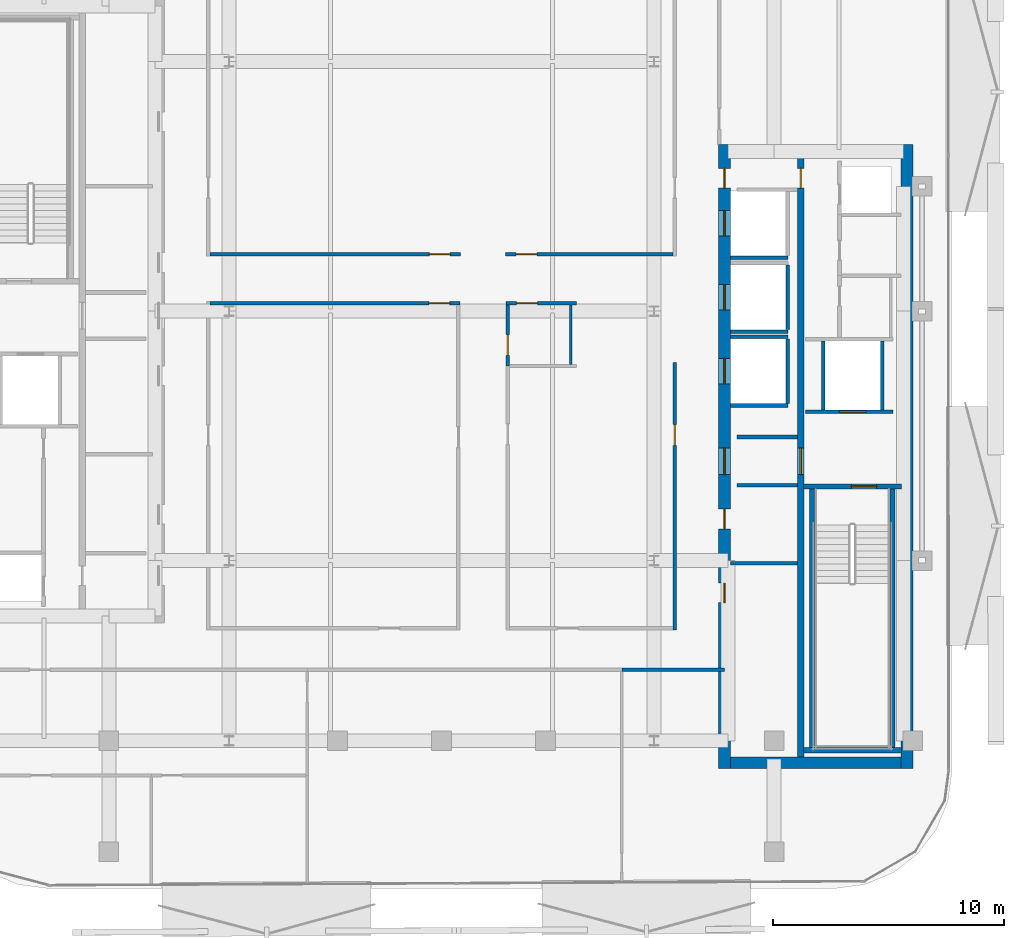
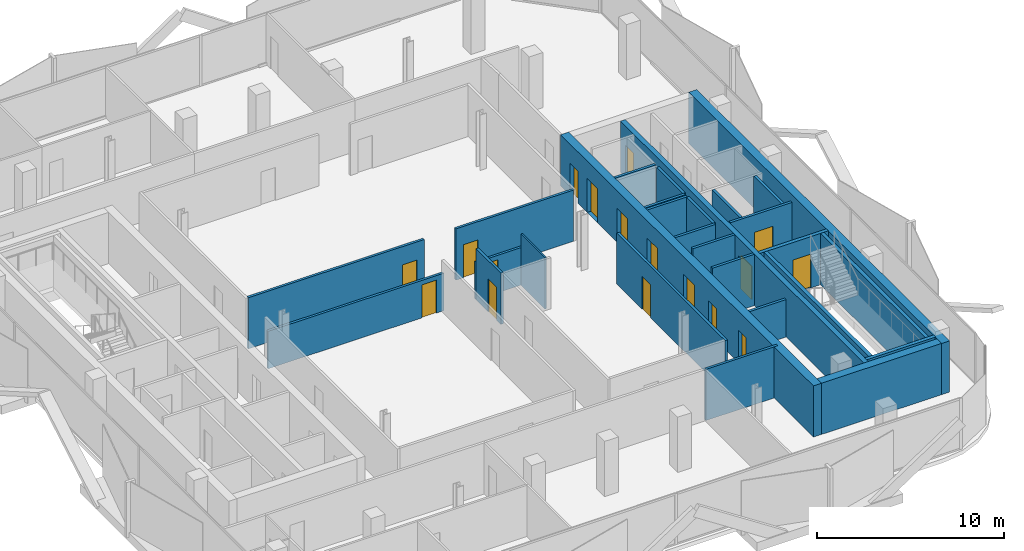
# One storey, part 4 of 14: 28 walls, 17 doors, 17 openings.
"""IFC4 building model written with IfcOpenShell, lengths in metres."""

from ifc_helpers import new_model, si_unit, direction, frame, frame_2d, origin, place, context, subcontext, project, spatial, rectangle, extrude, material, layer, layer_set, type_object, element, fill, save


model = new_model("IFC4")

# Units and contexts
model_context = context("Model", 3, precision=1e-05, world=origin(), true_north=direction((0.0, 1.0)))
body_context = subcontext(model_context, "Body", "Model", "MODEL_VIEW")
ifc_project = project(units=[si_unit("LENGTHUNIT", "METRE"), si_unit("AREAUNIT", "SQUARE_METRE"), si_unit("VOLUMEUNIT", "CUBIC_METRE"), si_unit("PLANEANGLEUNIT", "RADIAN"), si_unit("MASSUNIT", "GRAM", prefix="KILO")], contexts=[model_context])

# Site, building, storey
site_placement = place(None, origin())
site = spatial("IfcSite", under=ifc_project, at=site_placement, CompositionType="ELEMENT")
building_placement = place(site_placement, origin())
building = spatial("IfcBuilding", under=site, at=building_placement, Name="Khairoan Windgate Tower", CompositionType="ELEMENT")
storey_placement = place(building_placement, frame((0.0, 0.0, 240.39990234375)))
storey = spatial("IfcBuildingStorey", under=building, at=storey_placement, Name="L56", CompositionType="ELEMENT", Elevation=240.39990234375)

# Walls
ifc_material_1 = material(Name="Moisture-Resistant Gypsum Partition", Category="gypsum")
ifc_layer_1 = layer(ifc_material_1, 0.10009765625, Name="Moisture-Resistant Gypsum Partition")
ifc_layer_set_1 = layer_set([ifc_layer_1], Name="Moisture-Resistant Gypsum Partition")
wall_type_1 = type_object("IfcWallType", Name="Bathroom Wet-Area Partition Wall", PredefinedType="PARTITIONING", material=ifc_layer_set_1)
wall_1_placement = place(storey_placement, frame((5.60009765625, 0.260009765625, 0.0), z_axis=(0.0, 0.0, 1.0), x_axis=(0.0, -1.0, 0.0)))
element("IfcWall", 1, at=wall_1_placement, inside=storey, type_object=wall_type_1, Name="L56 Wet Room Side Wall 060", PredefinedType="PARTITIONING", context=body_context, shape_type="SweptSolid", body=[
    extrude(rectangle(XDim=2.570068359375, YDim=0.10009765625, at=frame_2d((1.28515625, 0.0))), origin(), (0.0, 0.0, 1.0), 3.340087890625),
])
ifc_material_2 = material(Name="Concrete C40/50", Category="concrete")
ifc_layer_2 = layer(ifc_material_2, 0.159912109375, Name="Concrete C40/50")
ifc_layer_set_2 = layer_set([ifc_layer_2], Name="Concrete C40/50")
wall_type_2 = type_object("IfcWallType", Name="Core and Hoistway Enclosure Wall", PredefinedType="STANDARD", material=ifc_layer_set_2)
for number, where, z_axis, x_axis, name in (
    (2, (12.5, 2.31005859375, 0.0), (0.0, 0.0, 1.0), (1.0, 0.0, 0.0), "L56 Lift PL7 Hoistway Divider S"),
    (3, (12.5, -0.889892578125, 0.0), (0.0, 0.0, 1.0), (1.0, 0.0, 0.0), "L56 Lift PL8 Hoistway Divider S"),
):
    element("IfcWall", number, at=place(storey_placement, frame(where, z_axis=z_axis, x_axis=x_axis)), inside=storey, type_object=wall_type_2, Name=name, PredefinedType="STANDARD", context=body_context, shape_type="SweptSolid", body=[
        extrude(rectangle(XDim=2.489990234375, YDim=0.159912109375, at=frame_2d((1.2451171875, 0.0))), origin(), (0.0, 0.0, 1.0), 3.340087890625),
    ])
wall_2_placement = place(storey_placement, frame((14.989990234375, -0.800048828125, 0.0), z_axis=(0.0, 0.0, 1.0), x_axis=(0.0, 1.0, 0.0)))
element("IfcWall", 4, at=wall_2_placement, inside=storey, type_object=wall_type_2, Name="L56 Lift PL8 Hoistway Back Wall", PredefinedType="STANDARD", context=body_context, shape_type="SweptSolid", body=[
    extrude(rectangle(XDim=2.800048828125, YDim=0.159912109375, at=frame_2d((1.39990234375, 0.0))), origin(), (0.0, 0.0, 1.0), 3.340087890625),
])
for number, where, z_axis, x_axis, name in (
    (5, (12.5, -4.090087890625, 0.0), (0.0, 0.0, 1.0), (1.0, 0.0, 0.0), "L56 Lift PL9 Hoistway Divider S"),
    (6, (12.5, -1.110107421875, 0.0), (0.0, 0.0, 1.0), (1.0, 0.0, 0.0), "L56 Lift PL9 Hoistway Divider N"),
):
    element("IfcWall", number, at=place(storey_placement, frame(where, z_axis=z_axis, x_axis=x_axis)), inside=storey, type_object=wall_type_2, Name=name, PredefinedType="STANDARD", context=body_context, shape_type="SweptSolid", body=[
        extrude(rectangle(XDim=2.489990234375, YDim=0.159912109375, at=frame_2d((1.2451171875, 0.0))), origin(), (0.0, 0.0, 1.0), 3.340087890625),
    ])
wall_3_placement = place(storey_placement, frame((14.989990234375, -4.0, 0.0), z_axis=(0.0, 0.0, 1.0), x_axis=(0.0, 1.0, 0.0)))
element("IfcWall", 7, at=wall_3_placement, inside=storey, type_object=wall_type_2, Name="L56 Lift PL9 Hoistway Back Wall", PredefinedType="STANDARD", context=body_context, shape_type="SweptSolid", body=[
    extrude(rectangle(XDim=2.800048828125, YDim=0.159912109375, at=frame_2d((1.39990234375, 0.0))), origin(), (0.0, 0.0, 1.0), 3.340087890625),
])

# Wall, opening, door
wall_4_placement = place(storey_placement, frame((15.75, -4.360107421875, 0.0), z_axis=(0.0, 0.0, 1.0), x_axis=(1.0, 0.0, 0.0)))
wall_4 = element("IfcWall", 8, at=wall_4_placement, inside=storey, type_object=wall_type_2, Name="L56 Core Shaft Wall SW-FL1-L56", PredefinedType="STANDARD", context=body_context, shape_type="SweptSolid", body=[
    extrude(rectangle(XDim=3.800048828125, YDim=0.159912109375, at=frame_2d((1.89990234375, 0.0))), origin(), (0.0, 0.0, 1.0), 3.340087890625),
])
opening_1_placement = place(wall_4_placement, frame((1.469970703125, 0.0, 0.0)))
opening_1 = element("IfcOpeningElement", 9, at=opening_1_placement, cuts=wall_4, Name="Opening LD-FL", PredefinedType="OPENING", context=body_context, shape_type="SweptSolid", body=[
    extrude(rectangle(XDim=1.14990234375, YDim=2.199951171875, at=frame_2d((0.574951171875, 1.10009765625))), frame((0.0, 0.08984375, 0.0), z_axis=(0.0, -1.0, 0.0), x_axis=(1.0, 0.0, 0.0)), (0.0, 0.0, 1.0), 0.179931640625),
])
ifc_material_3 = material(Name="Steel S355", Category="steel")
door_type_1 = type_object("IfcDoorType", Name="Firefighting Lift Sliding Landing Door LD-FL 1150x2200", OperationType="DOUBLE_DOOR_SLIDING", PredefinedType="DOOR", material=ifc_material_3)
door_1_placement = place(opening_1_placement, origin())
door_1 = element("IfcDoor", 10, at=door_1_placement, inside=storey, type_object=door_type_1, Name="L56 Firefighting Lift FL1 Landing Door", OperationType="DOUBLE_DOOR_SLIDING", OverallHeight=2.199951171875, OverallWidth=1.14990234375, PredefinedType="DOOR", context=body_context, shape_type="SweptSolid", body=[
    extrude(rectangle(XDim=1.14990234375, YDim=2.199951171875, at=frame_2d((0.574951171875, 1.10009765625))), frame((0.0, 0.02490234375, 0.0), z_axis=(0.0, -1.0, 0.0), x_axis=(1.0, 0.0, 0.0)), (0.0, 0.0, 1.0), 0.050048828125),
])
fill(opening_1, door_1)

# Walls
for number, where, z_axis, x_axis, name in (
    (11, (16.52001953125, -4.280029296875, 0.0), (0.0, 0.0, 1.0), (0.0, 1.0, 0.0), "L56 Core Shaft Wall SW-FL1W-L56"),
    (12, (19.080078125, -4.280029296875, 0.0), (0.0, 0.0, 1.0), (0.0, 1.0, 0.0), "L56 Core Shaft Wall SW-FL1E-L56"),
):
    element("IfcWall", number, at=place(storey_placement, frame(where, z_axis=z_axis, x_axis=x_axis)), inside=storey, type_object=wall_type_2, Name=name, PredefinedType="STANDARD", context=body_context, shape_type="SweptSolid", body=[
        extrude(rectangle(XDim=2.97998046875, YDim=0.159912109375, at=frame_2d((1.489990234375, 0.0))), origin(), (0.0, 0.0, 1.0), 3.340087890625),
    ])
for number, where, z_axis, x_axis, name in (
    (13, (12.800048828125, -5.449951171875, 0.0), (0.0, 0.0, 1.0), (1.0, 0.0, 0.0), "L56 Core Shaft Wall SW-EV1-L56"),
    (14, (12.800048828125, -7.5400390625, 0.0), (0.0, 0.0, 1.0), (1.0, 0.0, 0.0), "L56 Core Shaft Wall SW-EV2-L56"),
):
    element("IfcWall", number, at=place(storey_placement, frame(where, z_axis=z_axis, x_axis=x_axis)), inside=storey, type_object=wall_type_2, Name=name, PredefinedType="STANDARD", context=body_context, shape_type="SweptSolid", body=[
        extrude(rectangle(XDim=2.599853515625, YDim=0.159912109375, at=frame_2d((1.2998046875, 0.0))), origin(), (0.0, 0.0, 1.0), 3.340087890625),
    ])
ifc_material_4 = material(Name="Concrete C40/50", Category="concrete")
ifc_layer_3 = layer(ifc_material_4, 0.159912109375, Name="Concrete C40/50")
ifc_layer_set_3 = layer_set([ifc_layer_3], Name="Concrete C40/50")
wall_type_3 = type_object("IfcWallType", Name="Plant and Refuge Compartment Wall", PredefinedType="PARTITIONING", material=ifc_layer_set_3)
wall_5_placement = place(storey_placement, frame((12.5, -10.919921875, 0.0), z_axis=(0.0, 0.0, 1.0), x_axis=(1.0, 0.0, 0.0)))
element("IfcWall", 15, at=wall_5_placement, inside=storey, type_object=wall_type_3, Name="L56 Interior Partition 011", PredefinedType="PARTITIONING", context=body_context, shape_type="SweptSolid", body=[
    extrude(rectangle(XDim=2.89990234375, YDim=0.159912109375, at=frame_2d((1.449951171875, 0.0))), origin(), (0.0, 0.0, 1.0), 2.440185546875),
])

# Wall, opening, door
ifc_material_5 = material(Name="Acoustic Fire-Rated Gypsum Partition", Category="gypsum")
ifc_layer_4 = layer(ifc_material_5, 0.14990234375, Name="Acoustic Fire-Rated Gypsum Partition")
ifc_layer_set_4 = layer_set([ifc_layer_4], Name="Acoustic Fire-Rated Gypsum Partition")
wall_type_4 = type_object("IfcWallType", Name="Rated Corridor Partition Wall", PredefinedType="PARTITIONING", material=ifc_layer_set_4)
wall_6_placement = place(storey_placement, frame((10.10009765625, -13.794921875, 0.0), z_axis=(0.0, 0.0, 1.0), x_axis=(0.0, 1.0, 0.0)))
wall_6 = element("IfcWall", 16, at=wall_6_placement, inside=storey, type_object=wall_type_4, Name="L56 Interior Partition 016", PredefinedType="PARTITIONING", context=body_context, shape_type="SweptSolid", body=[
    extrude(rectangle(XDim=11.574951171875, YDim=0.14990234375, at=frame_2d((5.78759765625, 0.0))), origin(), (0.0, 0.0, 1.0), 3.340087890625),
])
opening_2_placement = place(wall_6_placement, frame((7.9794921875, 0.0, 0.0)))
opening_2 = element("IfcOpeningElement", 17, at=opening_2_placement, cuts=wall_6, Name="Opening FD-ENT", PredefinedType="OPENING", context=body_context, shape_type="SweptSolid", body=[
    extrude(rectangle(XDim=0.89990234375, YDim=2.14990234375, at=frame_2d((0.449951171875, 1.074951171875))), frame((0.0, 0.0849609375, 0.0), z_axis=(0.0, -1.0, 0.0), x_axis=(1.0, 0.0, 0.0)), (0.0, 0.0, 1.0), 0.169921875),
])
ifc_material_6 = material(Name="Timber Fire-Rated Core", Category="wood")
door_type_2 = type_object("IfcDoorType", Name="Unit and Office Fire Entrance Door FD-ENT 900x2150", OperationType="NOTDEFINED", PredefinedType="DOOR", material=ifc_material_6)
door_2_placement = place(opening_2_placement, origin())
door_2 = element("IfcDoor", 18, at=door_2_placement, inside=storey, type_object=door_type_2, Name="L56 L56-28-L56-52 Door", OperationType="SINGLE_SWING_LEFT", OverallHeight=2.14990234375, OverallWidth=0.89990234375, PredefinedType="DOOR", context=body_context, shape_type="SweptSolid", body=[
    extrude(rectangle(XDim=0.89990234375, YDim=2.14990234375, at=frame_2d((0.449951171875, 1.074951171875))), frame((0.0, 0.02490234375, 0.0), z_axis=(0.0, -1.0, 0.0), x_axis=(1.0, 0.0, 0.0)), (0.0, 0.0, 1.0), 0.050048828125),
])
fill(opening_2, door_2)

wall_7_placement = place(storey_placement, frame((-10.02490234375, 2.465087890625, 0.0), z_axis=(0.0, 0.0, 1.0), x_axis=(1.0, 0.0, 0.0)))
wall_7 = element("IfcWall", 19, at=wall_7_placement, inside=storey, type_object=wall_type_4, Name="L56 Interior Partition 017", PredefinedType="PARTITIONING", context=body_context, shape_type="SweptSolid", body=[
    extrude(rectangle(XDim=10.85498046875, YDim=0.14990234375, at=frame_2d((5.427490234375, 0.0))), origin(), (0.0, 0.0, 1.0), 3.340087890625),
])
opening_3_placement = place(wall_7_placement, frame((9.4951171875, 0.0, 0.0)))
opening_3 = element("IfcOpeningElement", 20, at=opening_3_placement, cuts=wall_7, Name="Opening FD-ENT", PredefinedType="OPENING", context=body_context, shape_type="SweptSolid", body=[
    extrude(rectangle(XDim=0.89990234375, YDim=2.14990234375, at=frame_2d((0.449951171875, 1.074951171875))), frame((0.0, 0.0849609375, 0.0), z_axis=(0.0, -1.0, 0.0), x_axis=(1.0, 0.0, 0.0)), (0.0, 0.0, 1.0), 0.169921875),
])
door_3_placement = place(opening_3_placement, origin())
door_3 = element("IfcDoor", 21, at=door_3_placement, inside=storey, type_object=door_type_2, Name="L56 L56-29-L56-48 Door", OperationType="SINGLE_SWING_RIGHT", OverallHeight=2.14990234375, OverallWidth=0.89990234375, PredefinedType="DOOR", context=body_context, shape_type="SweptSolid", body=[
    extrude(rectangle(XDim=0.89990234375, YDim=2.14990234375, at=frame_2d((0.449951171875, 1.074951171875))), frame((0.0, 0.02490234375, 0.0), z_axis=(0.0, -1.0, 0.0), x_axis=(1.0, 0.0, 0.0)), (0.0, 0.0, 1.0), 0.050048828125),
])
fill(opening_3, door_3)

wall_8_placement = place(storey_placement, frame((-10.02490234375, 0.3349609375, 0.0), z_axis=(0.0, 0.0, 1.0), x_axis=(1.0, 0.0, 0.0)))
wall_8 = element("IfcWall", 22, at=wall_8_placement, inside=storey, type_object=wall_type_4, Name="L56 Interior Partition 018", PredefinedType="PARTITIONING", context=body_context, shape_type="SweptSolid", body=[
    extrude(rectangle(XDim=10.8349609375, YDim=0.14990234375, at=frame_2d((5.41748046875, 0.0))), origin(), (0.0, 0.0, 1.0), 2.440185546875),
])
opening_4_placement = place(wall_8_placement, frame((9.47509765625, 0.0, 0.0)))
opening_4 = element("IfcOpeningElement", 23, at=opening_4_placement, cuts=wall_8, Name="Opening FD-ENT", PredefinedType="OPENING", context=body_context, shape_type="SweptSolid", body=[
    extrude(rectangle(XDim=0.89990234375, YDim=2.14990234375, at=frame_2d((0.449951171875, 1.074951171875))), frame((0.0, 0.0849609375, 0.0), z_axis=(0.0, -1.0, 0.0), x_axis=(1.0, 0.0, 0.0)), (0.0, 0.0, 1.0), 0.169921875),
])
door_4_placement = place(opening_4_placement, origin())
door_4 = element("IfcDoor", 24, at=door_4_placement, inside=storey, type_object=door_type_2, Name="L56 L56-29-L56-49 Door", OperationType="SINGLE_SWING_LEFT", OverallHeight=2.14990234375, OverallWidth=0.89990234375, PredefinedType="DOOR", context=body_context, shape_type="SweptSolid", body=[
    extrude(rectangle(XDim=0.89990234375, YDim=2.14990234375, at=frame_2d((0.449951171875, 1.074951171875))), frame((0.0, 0.02490234375, 0.0), z_axis=(0.0, -1.0, 0.0), x_axis=(1.0, 0.0, 0.0)), (0.0, 0.0, 1.0), 0.050048828125),
])
fill(opening_4, door_4)

wall_9_placement = place(storey_placement, frame((2.77001953125, 2.465087890625, 0.0), z_axis=(0.0, 0.0, 1.0), x_axis=(1.0, 0.0, 0.0)))
wall_9 = element("IfcWall", 25, at=wall_9_placement, inside=storey, type_object=wall_type_4, Name="L56 Interior Partition 019", PredefinedType="PARTITIONING", context=body_context, shape_type="SweptSolid", body=[
    extrude(rectangle(XDim=7.2548828125, YDim=0.14990234375, at=frame_2d((3.62744140625, 0.0))), origin(), (0.0, 0.0, 1.0), 3.340087890625),
])
opening_5_placement = place(wall_9_placement, frame((0.4599609375, 0.0, 0.0)))
opening_5 = element("IfcOpeningElement", 26, at=opening_5_placement, cuts=wall_9, Name="Opening FD-ENT", PredefinedType="OPENING", context=body_context, shape_type="SweptSolid", body=[
    extrude(rectangle(XDim=0.89990234375, YDim=2.14990234375, at=frame_2d((0.449951171875, 1.074951171875))), frame((0.0, 0.0849609375, 0.0), z_axis=(0.0, -1.0, 0.0), x_axis=(1.0, 0.0, 0.0)), (0.0, 0.0, 1.0), 0.169921875),
])
door_5_placement = place(opening_5_placement, origin())
door_5 = element("IfcDoor", 27, at=door_5_placement, inside=storey, type_object=door_type_2, Name="L56 L56-29-L56-50 Door", OperationType="SINGLE_SWING_RIGHT", OverallHeight=2.14990234375, OverallWidth=0.89990234375, PredefinedType="DOOR", context=body_context, shape_type="SweptSolid", body=[
    extrude(rectangle(XDim=0.89990234375, YDim=2.14990234375, at=frame_2d((0.449951171875, 1.074951171875))), frame((0.0, 0.02490234375, 0.0), z_axis=(0.0, -1.0, 0.0), x_axis=(1.0, 0.0, 0.0)), (0.0, 0.0, 1.0), 0.050048828125),
])
fill(opening_5, door_5)

wall_10_placement = place(storey_placement, frame((2.7900390625, 0.3349609375, 0.0), z_axis=(0.0, 0.0, 1.0), x_axis=(1.0, 0.0, 0.0)))
wall_10 = element("IfcWall", 28, at=wall_10_placement, inside=storey, type_object=wall_type_4, Name="L56 Interior Partition 020", PredefinedType="PARTITIONING", context=body_context, shape_type="SweptSolid", body=[
    extrude(rectangle(XDim=3.050048828125, YDim=0.14990234375, at=frame_2d((1.52490234375, 0.0))), origin(), (0.0, 0.0, 1.0), 2.440185546875),
])
opening_6_placement = place(wall_10_placement, frame((0.4599609375, 0.0, 0.0)))
opening_6 = element("IfcOpeningElement", 29, at=opening_6_placement, cuts=wall_10, Name="Opening FD-ENT", PredefinedType="OPENING", context=body_context, shape_type="SweptSolid", body=[
    extrude(rectangle(XDim=0.89990234375, YDim=2.14990234375, at=frame_2d((0.449951171875, 1.074951171875))), frame((0.0, 0.0849609375, 0.0), z_axis=(0.0, -1.0, 0.0), x_axis=(1.0, 0.0, 0.0)), (0.0, 0.0, 1.0), 0.169921875),
])
door_6_placement = place(opening_6_placement, origin())
door_6 = element("IfcDoor", 30, at=door_6_placement, inside=storey, type_object=door_type_2, Name="L56 L56-29-L56-51 Door", OperationType="SINGLE_SWING_LEFT", OverallHeight=2.14990234375, OverallWidth=0.89990234375, PredefinedType="DOOR", context=body_context, shape_type="SweptSolid", body=[
    extrude(rectangle(XDim=0.89990234375, YDim=2.14990234375, at=frame_2d((0.449951171875, 1.074951171875))), frame((0.0, 0.02490234375, 0.0), z_axis=(0.0, -1.0, 0.0), x_axis=(1.0, 0.0, 0.0)), (0.0, 0.0, 1.0), 0.050048828125),
])
fill(opening_6, door_6)

wall_11_placement = place(storey_placement, frame((2.864990234375, -2.3798828125, 0.0), z_axis=(0.0, 0.0, 1.0), x_axis=(0.0, 1.0, 0.0)))
wall_11 = element("IfcWall", 31, at=wall_11_placement, inside=storey, type_object=wall_type_4, Name="L56 Interior Partition 022", PredefinedType="PARTITIONING", context=body_context, shape_type="SweptSolid", body=[
    extrude(rectangle(XDim=2.639892578125, YDim=0.14990234375, at=frame_2d((1.31982421875, 0.0))), origin(), (0.0, 0.0, 1.0), 3.340087890625),
])
opening_7_placement = place(wall_11_placement, frame((0.4599609375, 0.0, 0.0)))
opening_7 = element("IfcOpeningElement", 32, at=opening_7_placement, cuts=wall_11, Name="Opening FD-ENT", PredefinedType="OPENING", context=body_context, shape_type="SweptSolid", body=[
    extrude(rectangle(XDim=0.89990234375, YDim=2.14990234375, at=frame_2d((0.449951171875, 1.074951171875))), frame((0.0, 0.0849609375, 0.0), z_axis=(0.0, -1.0, 0.0), x_axis=(1.0, 0.0, 0.0)), (0.0, 0.0, 1.0), 0.169921875),
])
door_7_placement = place(opening_7_placement, origin())
door_7 = element("IfcDoor", 33, at=door_7_placement, inside=storey, type_object=door_type_2, Name="L56 L56-30-L56-51 Door", OperationType="SINGLE_SWING_LEFT", OverallHeight=2.14990234375, OverallWidth=0.89990234375, PredefinedType="DOOR", context=body_context, shape_type="SweptSolid", body=[
    extrude(rectangle(XDim=0.89990234375, YDim=2.14990234375, at=frame_2d((0.449951171875, 1.074951171875))), frame((0.0, 0.02490234375, 0.0), z_axis=(0.0, -1.0, 0.0), x_axis=(1.0, 0.0, 0.0)), (0.0, 0.0, 1.0), 0.050048828125),
])
fill(opening_7, door_7)

# Wall
wall_12_placement = place(storey_placement, frame((7.804931640625, -15.52490234375, 0.0), z_axis=(0.0, 0.0, 1.0), x_axis=(1.0, 0.0, 0.0)))
element("IfcWall", 34, at=wall_12_placement, inside=storey, type_object=wall_type_4, Name="L56 Interior Partition 034", PredefinedType="PARTITIONING", context=body_context, shape_type="SweptSolid", body=[
    extrude(rectangle(XDim=4.43505859375, YDim=0.14990234375, at=frame_2d((2.217529296875, 0.0))), origin(), (0.0, 0.0, 1.0), 3.340087890625),
])

# Wall, openings, doors
ifc_material_7 = material(Name="Concrete C50/60", Category="concrete")
ifc_layer_5 = layer(ifc_material_7, 0.5, Name="Concrete C50/60")
ifc_layer_set_5 = layer_set([ifc_layer_5], Name="Concrete C50/60")
wall_type_5 = type_object("IfcWallType", Name="Shear Wall CW-E3 500mm", PredefinedType="SHEAR", material=ifc_layer_set_5)
wall_13_placement = place(storey_placement, frame((12.25, -19.800048828125, 0.0), z_axis=(0.0, 0.0, 1.0), x_axis=(0.0, 1.0, 0.0)))
wall_13 = element("IfcWall", 35, at=wall_13_placement, inside=storey, type_object=wall_type_5, Name="E Core West Shear Wall L56", PredefinedType="SHEAR", context=body_context, shape_type="SweptSolid", body=[
    extrude(rectangle(XDim=27.0, YDim=0.5, at=frame_2d((13.5, 0.0))), origin(), (0.0, 0.0, 1.0), 3.340087890625),
])
opening_8_placement = place(wall_13_placement, frame((23.050048828125, 0.0, 0.0)))
opening_8 = element("IfcOpeningElement", 36, at=opening_8_placement, cuts=wall_13, Name="Opening LD-PL", PredefinedType="OPENING", context=body_context, shape_type="SweptSolid", body=[
    extrude(rectangle(XDim=1.10009765625, YDim=2.199951171875, at=frame_2d((0.550048828125, 1.10009765625))), frame((0.0, 0.260009765625, 0.0), z_axis=(0.0, -1.0, 0.0), x_axis=(1.0, 0.0, 0.0)), (0.0, 0.0, 1.0), 0.52001953125),
])
opening_9_placement = place(wall_13_placement, frame((19.85009765625, 0.0, 0.0)))
opening_9 = element("IfcOpeningElement", 37, at=opening_9_placement, cuts=wall_13, Name="Opening LD-PL", PredefinedType="OPENING", context=body_context, shape_type="SweptSolid", body=[
    extrude(rectangle(XDim=1.10009765625, YDim=2.199951171875, at=frame_2d((0.550048828125, 1.10009765625))), frame((0.0, 0.260009765625, 0.0), z_axis=(0.0, -1.0, 0.0), x_axis=(1.0, 0.0, 0.0)), (0.0, 0.0, 1.0), 0.52001953125),
])
opening_10_placement = place(wall_13_placement, frame((16.64990234375, 0.0, 0.0)))
opening_10 = element("IfcOpeningElement", 38, at=opening_10_placement, cuts=wall_13, Name="Opening LD-PL", PredefinedType="OPENING", context=body_context, shape_type="SweptSolid", body=[
    extrude(rectangle(XDim=1.10009765625, YDim=2.199951171875, at=frame_2d((0.550048828125, 1.10009765625))), frame((0.0, 0.260009765625, 0.0), z_axis=(0.0, -1.0, 0.0), x_axis=(1.0, 0.0, 0.0)), (0.0, 0.0, 1.0), 0.52001953125),
])
opening_11_placement = place(wall_13_placement, frame((7.175048828125, 0.0, 0.0)))
opening_11 = element("IfcOpeningElement", 39, at=opening_11_placement, cuts=wall_13, Name="Opening FD-SRV", PredefinedType="OPENING", context=body_context, shape_type="SweptSolid", body=[
    extrude(rectangle(XDim=0.85009765625, YDim=2.10009765625, at=frame_2d((0.425048828125, 1.050048828125))), frame((0.0, 0.260009765625, 0.0), z_axis=(0.0, -1.0, 0.0), x_axis=(1.0, 0.0, 0.0)), (0.0, 0.0, 1.0), 0.52001953125),
])
opening_12_placement = place(wall_13_placement, frame((10.375, 0.0, 0.0)))
opening_12 = element("IfcOpeningElement", 40, at=opening_12_placement, cuts=wall_13, Name="Opening FD-SRV", PredefinedType="OPENING", context=body_context, shape_type="SweptSolid", body=[
    extrude(rectangle(XDim=0.85009765625, YDim=2.10009765625, at=frame_2d((0.425048828125, 1.050048828125))), frame((0.0, 0.260009765625, 0.0), z_axis=(0.0, -1.0, 0.0), x_axis=(1.0, 0.0, 0.0)), (0.0, 0.0, 1.0), 0.52001953125),
])
opening_13_placement = place(wall_13_placement, frame((12.72509765625, 0.0, 0.0)))
opening_13 = element("IfcOpeningElement", 41, at=opening_13_placement, cuts=wall_13, Name="Opening FD-FFL", PredefinedType="OPENING", context=body_context, shape_type="SweptSolid", body=[
    extrude(rectangle(XDim=1.14990234375, YDim=2.199951171875, at=frame_2d((0.574951171875, 1.10009765625))), frame((0.0, 0.260009765625, 0.0), z_axis=(0.0, -1.0, 0.0), x_axis=(1.0, 0.0, 0.0)), (0.0, 0.0, 1.0), 0.52001953125),
])
opening_14_placement = place(wall_13_placement, frame((25.125, 0.0, 0.0)))
opening_14 = element("IfcOpeningElement", 42, at=opening_14_placement, cuts=wall_13, Name="Opening FD-SRV", PredefinedType="OPENING", context=body_context, shape_type="SweptSolid", body=[
    extrude(rectangle(XDim=0.85009765625, YDim=2.10009765625, at=frame_2d((0.425048828125, 1.050048828125))), frame((0.0, 0.260009765625, 0.0), z_axis=(0.0, -1.0, 0.0), x_axis=(1.0, 0.0, 0.0)), (0.0, 0.0, 1.0), 0.52001953125),
])
ifc_material_8 = material(Name="Steel S355", Category="steel")
door_type_3 = type_object("IfcDoorType", Name="Core Service and Riser Fire Door FD-SRV 850x2100", OperationType="NOTDEFINED", PredefinedType="DOOR", material=ifc_material_8)
door_8_placement = place(opening_11_placement, origin())
door_8 = element("IfcDoor", 43, at=door_8_placement, inside=storey, type_object=door_type_3, Name="L56 East Core Service Room Door 1", OperationType="SINGLE_SWING_RIGHT", OverallHeight=2.10009765625, OverallWidth=0.85009765625, PredefinedType="DOOR", context=body_context, shape_type="SweptSolid", body=[
    extrude(rectangle(XDim=0.85009765625, YDim=2.10009765625, at=frame_2d((0.425048828125, 1.050048828125))), frame((0.0, 0.02490234375, 0.0), z_axis=(0.0, -1.0, 0.0), x_axis=(1.0, 0.0, 0.0)), (0.0, 0.0, 1.0), 0.050048828125),
])
fill(opening_11, door_8)
door_9_placement = place(opening_12_placement, origin())
door_9 = element("IfcDoor", 44, at=door_9_placement, inside=storey, type_object=door_type_3, Name="L56 East Core Service Room Door 2", OperationType="SINGLE_SWING_LEFT", OverallHeight=2.10009765625, OverallWidth=0.85009765625, PredefinedType="DOOR", context=body_context, shape_type="SweptSolid", body=[
    extrude(rectangle(XDim=0.85009765625, YDim=2.10009765625, at=frame_2d((0.425048828125, 1.050048828125))), frame((0.0, 0.02490234375, 0.0), z_axis=(0.0, -1.0, 0.0), x_axis=(1.0, 0.0, 0.0)), (0.0, 0.0, 1.0), 0.050048828125),
])
fill(opening_12, door_9)
door_10_placement = place(opening_14_placement, origin())
door_10 = element("IfcDoor", 45, at=door_10_placement, inside=storey, type_object=door_type_3, Name="L56 East Core Service Vestibule Outer Door", OperationType="SINGLE_SWING_RIGHT", OverallHeight=2.10009765625, OverallWidth=0.85009765625, PredefinedType="DOOR", context=body_context, shape_type="SweptSolid", body=[
    extrude(rectangle(XDim=0.85009765625, YDim=2.10009765625, at=frame_2d((0.425048828125, 1.050048828125))), frame((0.0, 0.02490234375, 0.0), z_axis=(0.0, -1.0, 0.0), x_axis=(1.0, 0.0, 0.0)), (0.0, 0.0, 1.0), 0.050048828125),
])
fill(opening_14, door_10)
ifc_material_9 = material(Name="Steel S355", Category="steel")
door_type_4 = type_object("IfcDoorType", Name="Firefighting Lobby Fire Door FD-FFL 1150x2200", OperationType="NOTDEFINED", PredefinedType="DOOR", material=ifc_material_9)
door_11_placement = place(opening_13_placement, origin())
door_11 = element("IfcDoor", 46, at=door_11_placement, inside=storey, type_object=door_type_4, Name="L56 East Core Vestibule Entry Door", OperationType="SINGLE_SWING_RIGHT", OverallHeight=2.199951171875, OverallWidth=1.14990234375, PredefinedType="DOOR", context=body_context, shape_type="SweptSolid", body=[
    extrude(rectangle(XDim=1.14990234375, YDim=2.199951171875, at=frame_2d((0.574951171875, 1.10009765625))), frame((0.0, 0.02490234375, 0.0), z_axis=(0.0, -1.0, 0.0), x_axis=(1.0, 0.0, 0.0)), (0.0, 0.0, 1.0), 0.050048828125),
])
fill(opening_13, door_11)
ifc_material_10 = material(Name="Anodised Bronze Aluminium 6063-T6", Category="aluminium")
door_type_5 = type_object("IfcDoorType", Name="Passenger Lift Sliding Landing Door LD-PL 1100x2200", OperationType="DOUBLE_DOOR_SLIDING", PredefinedType="DOOR", material=ifc_material_10)
door_12_placement = place(opening_8_placement, origin())
door_12 = element("IfcDoor", 47, at=door_12_placement, inside=storey, type_object=door_type_5, Name="L56 Lift PL7 Sliding Landing Door", OperationType="DOUBLE_DOOR_SLIDING", OverallHeight=2.199951171875, OverallWidth=1.10009765625, PredefinedType="DOOR", context=body_context, shape_type="SweptSolid", body=[
    extrude(rectangle(XDim=1.10009765625, YDim=2.199951171875, at=frame_2d((0.550048828125, 1.10009765625))), frame((0.0, 0.02490234375, 0.0), z_axis=(0.0, -1.0, 0.0), x_axis=(1.0, 0.0, 0.0)), (0.0, 0.0, 1.0), 0.050048828125),
])
fill(opening_8, door_12)
door_13_placement = place(opening_9_placement, origin())
door_13 = element("IfcDoor", 48, at=door_13_placement, inside=storey, type_object=door_type_5, Name="L56 Lift PL8 Sliding Landing Door", OperationType="DOUBLE_DOOR_SLIDING", OverallHeight=2.199951171875, OverallWidth=1.10009765625, PredefinedType="DOOR", context=body_context, shape_type="SweptSolid", body=[
    extrude(rectangle(XDim=1.10009765625, YDim=2.199951171875, at=frame_2d((0.550048828125, 1.10009765625))), frame((0.0, 0.02490234375, 0.0), z_axis=(0.0, -1.0, 0.0), x_axis=(1.0, 0.0, 0.0)), (0.0, 0.0, 1.0), 0.050048828125),
])
fill(opening_9, door_13)
door_14_placement = place(opening_10_placement, origin())
door_14 = element("IfcDoor", 49, at=door_14_placement, inside=storey, type_object=door_type_5, Name="L56 Lift PL9 Sliding Landing Door", OperationType="DOUBLE_DOOR_SLIDING", OverallHeight=2.199951171875, OverallWidth=1.10009765625, PredefinedType="DOOR", context=body_context, shape_type="SweptSolid", body=[
    extrude(rectangle(XDim=1.10009765625, YDim=2.199951171875, at=frame_2d((0.550048828125, 1.10009765625))), frame((0.0, 0.02490234375, 0.0), z_axis=(0.0, -1.0, 0.0), x_axis=(1.0, 0.0, 0.0)), (0.0, 0.0, 1.0), 0.050048828125),
])
fill(opening_10, door_14)

# Walls
wall_14_placement = place(storey_placement, frame((20.14990234375, -19.800048828125, 0.0), z_axis=(0.0, 0.0, 1.0), x_axis=(0.0, 1.0, 0.0)))
element("IfcWall", 50, at=wall_14_placement, inside=storey, type_object=wall_type_5, Name="E Core East Shear Wall L56", PredefinedType="SHEAR", context=body_context, shape_type="SweptSolid", body=[
    extrude(rectangle(XDim=27.0, YDim=0.5, at=frame_2d((13.5, 0.0))), origin(), (0.0, 0.0, 1.0), 3.340087890625),
])
wall_15_placement = place(storey_placement, frame((12.5, -19.550048828125, 0.0), z_axis=(0.0, 0.0, 1.0), x_axis=(1.0, 0.0, 0.0)))
element("IfcWall", 51, at=wall_15_placement, inside=storey, type_object=wall_type_5, Name="E Core South Shear Wall L56", PredefinedType="SHEAR", context=body_context, shape_type="SweptSolid", body=[
    extrude(rectangle(XDim=7.39990234375, YDim=0.5, at=frame_2d((3.699951171875, 0.0))), origin(), (0.0, 0.0, 1.0), 3.340087890625),
])

# Wall, openings, doors
ifc_material_11 = material(Name="Concrete C50/60", Category="concrete")
ifc_layer_6 = layer(ifc_material_11, 0.300048828125, Name="Concrete C50/60")
ifc_layer_set_6 = layer_set([ifc_layer_6], Name="Concrete C50/60")
wall_type_6 = type_object("IfcWallType", Name="Shear Wall SW-2 300mm", PredefinedType="SHEAR", material=ifc_layer_set_6)
wall_16_placement = place(storey_placement, frame((15.550048828125, -19.300048828125, 0.0), z_axis=(0.0, 0.0, 1.0), x_axis=(0.0, 1.0, 0.0)))
wall_16 = element("IfcWall", 52, at=wall_16_placement, inside=storey, type_object=wall_type_6, Name="E Core Spine Shear Wall L56", PredefinedType="SHEAR", context=body_context, shape_type="SweptSolid", body=[
    extrude(rectangle(XDim=26.0, YDim=0.300048828125, at=frame_2d((13.0, 0.0))), origin(), (0.0, 0.0, 1.0), 3.340087890625),
])
opening_15_placement = place(wall_16_placement, frame((12.22509765625, 0.0, 0.0)))
opening_15 = element("IfcOpeningElement", 53, at=opening_15_placement, cuts=wall_16, Name="Opening FD-FFL", PredefinedType="OPENING", context=body_context, shape_type="SweptSolid", body=[
    extrude(rectangle(XDim=1.14990234375, YDim=2.199951171875, at=frame_2d((0.574951171875, 1.10009765625))), frame((0.0, 0.159912109375, 0.0), z_axis=(0.0, -1.0, 0.0), x_axis=(1.0, 0.0, 0.0)), (0.0, 0.0, 1.0), 0.320068359375),
])
opening_16_placement = place(wall_16_placement, frame((24.625, 0.0, 0.0)))
opening_16 = element("IfcOpeningElement", 54, at=opening_16_placement, cuts=wall_16, Name="Opening FD-SRV", PredefinedType="OPENING", context=body_context, shape_type="SweptSolid", body=[
    extrude(rectangle(XDim=0.85009765625, YDim=2.10009765625, at=frame_2d((0.425048828125, 1.050048828125))), frame((0.0, 0.159912109375, 0.0), z_axis=(0.0, -1.0, 0.0), x_axis=(1.0, 0.0, 0.0)), (0.0, 0.0, 1.0), 0.320068359375),
])
door_15_placement = place(opening_16_placement, origin())
door_15 = element("IfcDoor", 55, at=door_15_placement, inside=storey, type_object=door_type_3, Name="L56 East Core Service Passage Inner Door", OperationType="SINGLE_SWING_LEFT", OverallHeight=2.10009765625, OverallWidth=0.85009765625, PredefinedType="DOOR", context=body_context, shape_type="SweptSolid", body=[
    extrude(rectangle(XDim=0.85009765625, YDim=2.10009765625, at=frame_2d((0.425048828125, 1.050048828125))), frame((0.0, 0.02490234375, 0.0), z_axis=(0.0, -1.0, 0.0), x_axis=(1.0, 0.0, 0.0)), (0.0, 0.0, 1.0), 0.050048828125),
])
fill(opening_16, door_15)
door_16_placement = place(opening_15_placement, origin())
door_16 = element("IfcDoor", 56, at=door_16_placement, inside=storey, type_object=door_type_4, Name="L56 East Firefighting Lobby Fire Door", OperationType="SINGLE_SWING_LEFT", OverallHeight=2.199951171875, OverallWidth=1.14990234375, PredefinedType="DOOR", context=body_context, shape_type="SweptSolid", body=[
    extrude(rectangle(XDim=1.14990234375, YDim=2.199951171875, at=frame_2d((0.574951171875, 1.10009765625))), frame((0.0, 0.02490234375, 0.0), z_axis=(0.0, -1.0, 0.0), x_axis=(1.0, 0.0, 0.0)), (0.0, 0.0, 1.0), 0.050048828125),
])
fill(opening_15, door_16)

# Walls
ifc_material_12 = material(Name="Concrete C50/60", Category="concrete")
ifc_layer_7 = layer(ifc_material_12, 0.219970703125, Name="Concrete C50/60")
ifc_layer_set_7 = layer_set([ifc_layer_7], Name="Concrete C50/60")
wall_type_7 = type_object("IfcWallType", Name="Shear Wall SW-ST 220mm", PredefinedType="SHEAR", material=ifc_layer_set_7)
for number, where, z_axis, x_axis, name in (
    (57, (16.0400390625, -19.010009765625, 0.0), (0.0, 0.0, 1.0), (0.0, 1.0, 0.0), "L56 Stair ST1 West Bearing Wall"),
    (58, (19.530029296875, -19.010009765625, 0.0), (0.0, 0.0, 1.0), (0.0, 1.0, 0.0), "L56 Stair ST1 East Bearing Wall"),
):
    element("IfcWall", number, at=place(storey_placement, frame(where, z_axis=z_axis, x_axis=x_axis)), inside=storey, type_object=wall_type_7, Name=name, PredefinedType="SHEAR", context=body_context, shape_type="SweptSolid", body=[
        extrude(rectangle(XDim=11.419921875, YDim=0.219970703125, at=frame_2d((5.7099609375, 0.0))), origin(), (0.0, 0.0, 1.0), 3.340087890625),
    ])
wall_17_placement = place(storey_placement, frame((15.679931640625, -19.010009765625, 0.0), z_axis=(0.0, 0.0, 1.0), x_axis=(1.0, 0.0, 0.0)))
element("IfcWall", 59, at=wall_17_placement, inside=storey, type_object=wall_type_7, Name="L56 Stair ST1 South Bearing Wall", PredefinedType="SHEAR", context=body_context, shape_type="SweptSolid", body=[
    extrude(rectangle(XDim=4.239990234375, YDim=0.219970703125, at=frame_2d((2.1201171875, 0.0))), origin(), (0.0, 0.0, 1.0), 3.340087890625),
])

# Wall, opening, door
wall_18_placement = place(storey_placement, frame((19.919921875, -7.590087890625, 0.0), z_axis=(0.0, 0.0, 1.0), x_axis=(-1.0, 0.0, 0.0)))
wall_18 = element("IfcWall", 60, at=wall_18_placement, inside=storey, type_object=wall_type_7, Name="L56 Stair ST1 North Bearing Wall", PredefinedType="SHEAR", context=body_context, shape_type="SweptSolid", body=[
    extrude(rectangle(XDim=4.239990234375, YDim=0.219970703125, at=frame_2d((2.1201171875, 0.0))), origin(), (0.0, 0.0, 1.0), 3.340087890625),
])
opening_17_placement = place(wall_18_placement, frame((1.080078125, 0.0, 0.0)))
opening_17 = element("IfcOpeningElement", 61, at=opening_17_placement, cuts=wall_18, Name="Opening FD-ST", PredefinedType="OPENING", context=body_context, shape_type="SweptSolid", body=[
    extrude(rectangle(XDim=1.10009765625, YDim=2.199951171875, at=frame_2d((0.550048828125, 1.10009765625))), frame((0.0, 0.119873046875, 0.0), z_axis=(0.0, -1.0, 0.0), x_axis=(1.0, 0.0, 0.0)), (0.0, 0.0, 1.0), 0.239990234375),
])
ifc_material_13 = material(Name="Steel S355", Category="steel")
door_type_6 = type_object("IfcDoorType", Name="Smokeproof Stair Fire Door FD-ST 1100x2200", OperationType="NOTDEFINED", PredefinedType="DOOR", material=ifc_material_13)
door_17_placement = place(opening_17_placement, origin())
door_17 = element("IfcDoor", 62, at=door_17_placement, inside=storey, type_object=door_type_6, Name="L56 Stair ST1 Fire Door", OperationType="SINGLE_SWING_RIGHT", OverallHeight=2.199951171875, OverallWidth=1.10009765625, PredefinedType="DOOR", context=body_context, shape_type="SweptSolid", body=[
    extrude(rectangle(XDim=1.10009765625, YDim=2.199951171875, at=frame_2d((0.550048828125, 1.10009765625))), frame((0.0, 0.02490234375, 0.0), z_axis=(0.0, -1.0, 0.0), x_axis=(1.0, 0.0, 0.0)), (0.0, 0.0, 1.0), 0.050048828125),
])
fill(opening_17, door_17)

save(model, "model.ifc")
